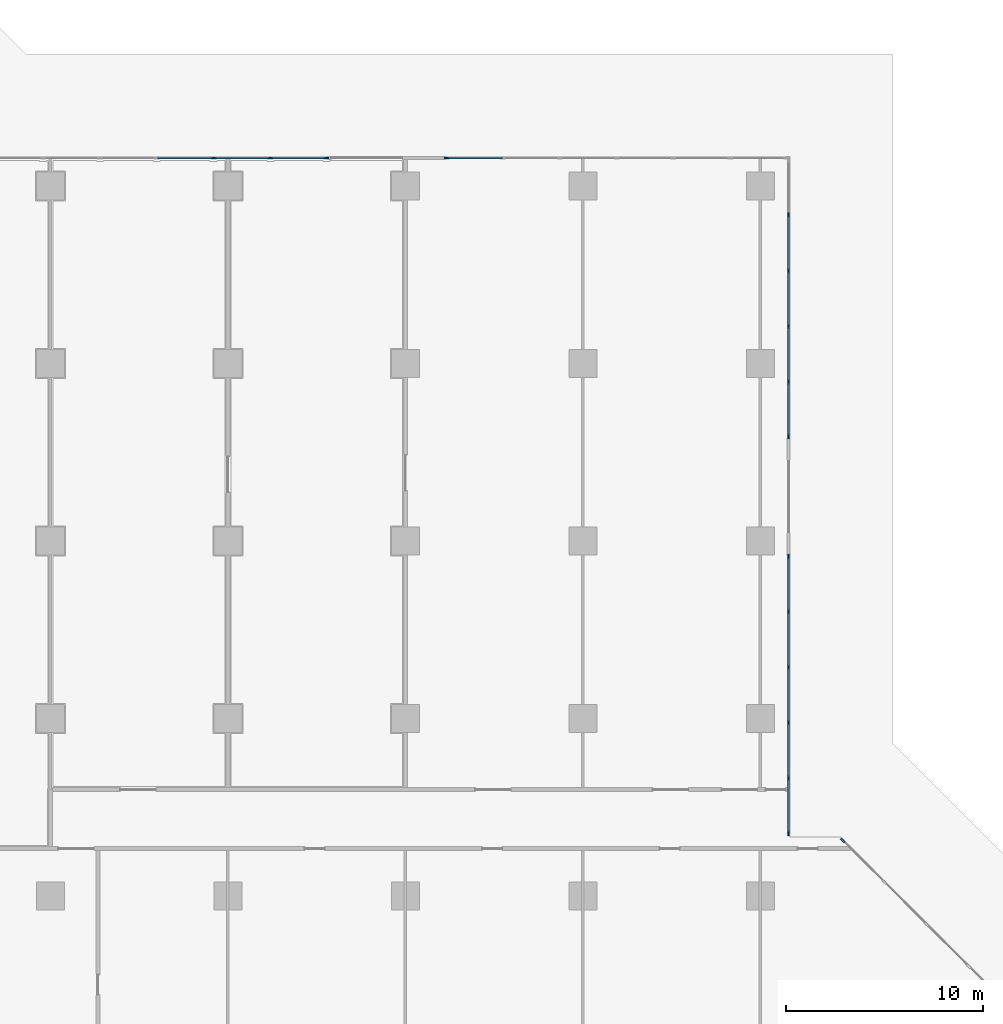
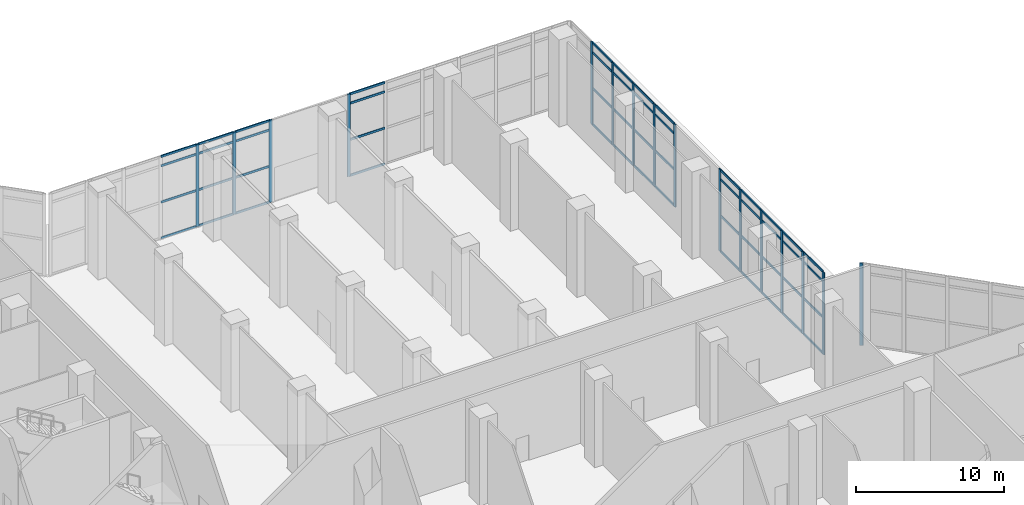
# One storey, part 10 of 34: 68 members, 5 elements without a shape of their own.
"""IFC4 building model written with IfcOpenShell, lengths in metres."""

from ifc_helpers import new_model, si_unit, direction, frame, origin, origin_2d, place, context, subcontext, project, spatial, rectangle, extrude, material, layer, layer_set, material_profile, profile_set, type_object, element, aggregate, save


model = new_model("IFC4")

# Units and contexts
model_context = context("Model", 3, precision=1e-05, world=origin(), true_north=direction((0.0, 1.0)))
body_context = subcontext(model_context, "Body", "Model", "MODEL_VIEW")
ifc_project = project(units=[si_unit("LENGTHUNIT", "METRE"), si_unit("AREAUNIT", "SQUARE_METRE"), si_unit("VOLUMEUNIT", "CUBIC_METRE"), si_unit("PLANEANGLEUNIT", "RADIAN"), si_unit("MASSUNIT", "GRAM", prefix="KILO")], contexts=[model_context])

# Site, building, storey
site_placement = place(None, origin())
site = spatial("IfcSite", under=ifc_project, at=site_placement, CompositionType="ELEMENT")
building_placement = place(site_placement, origin())
building = spatial("IfcBuilding", under=site, at=building_placement, Name="Chenar Terraces", CompositionType="ELEMENT")
storey_placement = place(building_placement, origin())
storey = spatial("IfcBuildingStorey", under=building, at=storey_placement, Name="L00", CompositionType="ELEMENT", Elevation=0.0)

# Curtain wall, member
ifc_material_1 = material(Name="Aluminium framed glazing", Category="aluminium")
ifc_layer = layer(ifc_material_1, 0.14990234375)
ifc_layer_set = layer_set([ifc_layer], Name="Aluminium framed glazing")
curtain_wall_type = type_object("IfcCurtainWallType", Name="Lobby curtain wall", PredefinedType="NOTDEFINED", material=ifc_layer_set)
placement = place(storey_placement, origin())
curtain_wall_1 = element("IfcCurtainWall", 1, at=placement, inside=storey, type_object=curtain_wall_type, Name="Lobby curtain wall", PredefinedType="NOTDEFINED")
ifc_material_2 = material(Name="Aluminium", Category="aluminium")
ifc_material_profile_1 = material_profile(ifc_material_2, rectangle(XDim=0.080078125, YDim=0.25, at=origin_2d()), Name="Lobby glazing mullion 80 x 250")
ifc_profile_set_1 = profile_set([ifc_material_profile_1], Name="Aluminium")
member_type_1 = type_object("IfcMemberType", Name="Lobby glazing mullion 80 x 250", PredefinedType="MULLION", material=ifc_profile_set_1)
member_1_placement = place(storey_placement, frame((76.173095703125, 38.8125, 0.0), z_axis=(0.0, 0.0, 1.0), x_axis=(-0.707106781187, -0.707106781187, 0.0)))
member_1 = element("IfcMember", 2, at=member_1_placement, type_object=member_type_1, Name="CW6-090 mullion 6", PredefinedType="MULLION", context=body_context, shape_type="SweptSolid", body=[
    extrude(rectangle(XDim=0.080078125, YDim=0.25, at=origin_2d()), origin(), (0.0, 0.0, 1.0), 6.800048828125),
])
aggregate(curtain_wall_1, [member_1])

# Curtain wall, members
curtain_wall_2 = element("IfcCurtainWall", 3, at=placement, inside=storey, type_object=curtain_wall_type, Name="Lobby curtain wall", PredefinedType="NOTDEFINED")
member_2_placement = place(storey_placement, frame((73.425048828125, 39.18994140625, 0.0), z_axis=(0.0, 0.0, 1.0), x_axis=(-1.0, 0.0, 0.0)))
member_2 = element("IfcMember", 4, at=member_2_placement, type_object=member_type_1, Name="CW6-10a0 mullion 1", PredefinedType="MULLION", context=body_context, shape_type="SweptSolid", body=[
    extrude(rectangle(XDim=0.080078125, YDim=0.25, at=origin_2d()), origin(), (0.0, 0.0, 1.0), 6.800048828125),
])
member_3_placement = place(storey_placement, frame((73.425048828125, 41.967529296875, 0.0), z_axis=(0.0, 0.0, 1.0), x_axis=(-1.0, 0.0, 0.0)))
member_3 = element("IfcMember", 5, at=member_3_placement, type_object=member_type_1, Name="CW6-10a0 mullion 2", PredefinedType="MULLION", context=body_context, shape_type="SweptSolid", body=[
    extrude(rectangle(XDim=0.080078125, YDim=0.25, at=origin_2d()), origin(), (0.0, 0.0, 1.0), 6.800048828125),
])
member_4_placement = place(storey_placement, frame((73.425048828125, 44.784912109375, 0.0), z_axis=(0.0, 0.0, 1.0), x_axis=(-1.0, 0.0, 0.0)))
member_4 = element("IfcMember", 6, at=member_4_placement, type_object=member_type_1, Name="CW6-10a0 mullion 3", PredefinedType="MULLION", context=body_context, shape_type="SweptSolid", body=[
    extrude(rectangle(XDim=0.080078125, YDim=0.25, at=origin_2d()), origin(), (0.0, 0.0, 1.0), 6.800048828125),
])
member_5_placement = place(storey_placement, frame((73.425048828125, 47.6025390625, 0.0), z_axis=(0.0, 0.0, 1.0), x_axis=(-1.0, 0.0, 0.0)))
member_5 = element("IfcMember", 7, at=member_5_placement, type_object=member_type_1, Name="CW6-10a0 mullion 4", PredefinedType="MULLION", context=body_context, shape_type="SweptSolid", body=[
    extrude(rectangle(XDim=0.080078125, YDim=0.25, at=origin_2d()), origin(), (0.0, 0.0, 1.0), 6.800048828125),
])
member_6_placement = place(storey_placement, frame((73.425048828125, 50.419921875, 0.0), z_axis=(0.0, 0.0, 1.0), x_axis=(-1.0, 0.0, 0.0)))
member_6 = element("IfcMember", 8, at=member_6_placement, type_object=member_type_1, Name="CW6-10a0 mullion 5", PredefinedType="MULLION", context=body_context, shape_type="SweptSolid", body=[
    extrude(rectangle(XDim=0.080078125, YDim=0.25, at=origin_2d()), origin(), (0.0, 0.0, 1.0), 6.800048828125),
])
member_7_placement = place(storey_placement, frame((73.425048828125, 53.197509765625, 0.0), z_axis=(0.0, 0.0, 1.0), x_axis=(-1.0, 0.0, 0.0)))
member_7 = element("IfcMember", 9, at=member_7_placement, type_object=member_type_1, Name="CW6-10a0 mullion 6", PredefinedType="MULLION", context=body_context, shape_type="SweptSolid", body=[
    extrude(rectangle(XDim=0.080078125, YDim=0.25, at=origin_2d()), origin(), (0.0, 0.0, 1.0), 6.800048828125),
])

curtain_wall_3 = element("IfcCurtainWall", 10, at=placement, inside=storey, type_object=curtain_wall_type, Name="Lobby curtain wall", PredefinedType="NOTDEFINED")
member_8_placement = place(storey_placement, frame((73.425048828125, 59.302490234375, 0.0), z_axis=(0.0, 0.0, 1.0), x_axis=(-1.0, 0.0, 0.0)))
member_8 = element("IfcMember", 11, at=member_8_placement, type_object=member_type_1, Name="CW6-10b0 mullion 1", PredefinedType="MULLION", context=body_context, shape_type="SweptSolid", body=[
    extrude(rectangle(XDim=0.080078125, YDim=0.25, at=origin_2d()), origin(), (0.0, 0.0, 1.0), 6.800048828125),
])
member_9_placement = place(storey_placement, frame((73.425048828125, 62.080078125, 0.0), z_axis=(0.0, 0.0, 1.0), x_axis=(-1.0, 0.0, 0.0)))
member_9 = element("IfcMember", 12, at=member_9_placement, type_object=member_type_1, Name="CW6-10b0 mullion 2", PredefinedType="MULLION", context=body_context, shape_type="SweptSolid", body=[
    extrude(rectangle(XDim=0.080078125, YDim=0.25, at=origin_2d()), origin(), (0.0, 0.0, 1.0), 6.800048828125),
])
member_10_placement = place(storey_placement, frame((73.425048828125, 64.8974609375, 0.0), z_axis=(0.0, 0.0, 1.0), x_axis=(-1.0, 0.0, 0.0)))
member_10 = element("IfcMember", 13, at=member_10_placement, type_object=member_type_1, Name="CW6-10b0 mullion 3", PredefinedType="MULLION", context=body_context, shape_type="SweptSolid", body=[
    extrude(rectangle(XDim=0.080078125, YDim=0.25, at=origin_2d()), origin(), (0.0, 0.0, 1.0), 6.800048828125),
])
member_11_placement = place(storey_placement, frame((73.425048828125, 67.715087890625, 0.0), z_axis=(0.0, 0.0, 1.0), x_axis=(-1.0, 0.0, 0.0)))
member_11 = element("IfcMember", 14, at=member_11_placement, type_object=member_type_1, Name="CW6-10b0 mullion 4", PredefinedType="MULLION", context=body_context, shape_type="SweptSolid", body=[
    extrude(rectangle(XDim=0.080078125, YDim=0.25, at=origin_2d()), origin(), (0.0, 0.0, 1.0), 6.800048828125),
])
member_12_placement = place(storey_placement, frame((73.425048828125, 70.532470703125, 0.0), z_axis=(0.0, 0.0, 1.0), x_axis=(-1.0, 0.0, 0.0)))
member_12 = element("IfcMember", 15, at=member_12_placement, type_object=member_type_1, Name="CW6-10b0 mullion 5", PredefinedType="MULLION", context=body_context, shape_type="SweptSolid", body=[
    extrude(rectangle(XDim=0.080078125, YDim=0.25, at=origin_2d()), origin(), (0.0, 0.0, 1.0), 6.800048828125),
])

# Curtain wall, member
curtain_wall_4 = element("IfcCurtainWall", 16, at=placement, inside=storey, type_object=curtain_wall_type, Name="Lobby curtain wall", PredefinedType="NOTDEFINED")
member_13_placement = place(storey_placement, frame((56.098388671875, 73.425048828125, 0.0), z_axis=(0.0, 0.0, 1.0), x_axis=(0.0, -1.0, 0.0)))
member_13 = element("IfcMember", 17, at=member_13_placement, type_object=member_type_1, Name="CW6-11a0 mullion 7", PredefinedType="MULLION", context=body_context, shape_type="SweptSolid", body=[
    extrude(rectangle(XDim=0.080078125, YDim=0.25, at=origin_2d()), origin(), (0.0, 0.0, 1.0), 6.800048828125),
])

# Curtain wall, members
curtain_wall_5 = element("IfcCurtainWall", 18, at=placement, inside=storey, type_object=curtain_wall_type, Name="Lobby curtain wall", PredefinedType="NOTDEFINED")
member_14_placement = place(storey_placement, frame((49.993408203125, 73.425048828125, 0.0), z_axis=(0.0, 0.0, 1.0), x_axis=(0.0, -1.0, 0.0)))
member_14 = element("IfcMember", 19, at=member_14_placement, type_object=member_type_1, Name="CW6-11b0 mullion 1", PredefinedType="MULLION", context=body_context, shape_type="SweptSolid", body=[
    extrude(rectangle(XDim=0.080078125, YDim=0.25, at=origin_2d()), origin(), (0.0, 0.0, 1.0), 6.800048828125),
])
member_15_placement = place(storey_placement, frame((47.151611328125, 73.425048828125, 0.0), z_axis=(0.0, 0.0, 1.0), x_axis=(0.0, -1.0, 0.0)))
member_15 = element("IfcMember", 20, at=member_15_placement, type_object=member_type_1, Name="CW6-11b0 mullion 2", PredefinedType="MULLION", context=body_context, shape_type="SweptSolid", body=[
    extrude(rectangle(XDim=0.080078125, YDim=0.25, at=origin_2d()), origin(), (0.0, 0.0, 1.0), 6.800048828125),
])
member_16_placement = place(storey_placement, frame((44.26953125, 73.425048828125, 0.0), z_axis=(0.0, 0.0, 1.0), x_axis=(0.0, -1.0, 0.0)))
member_16 = element("IfcMember", 21, at=member_16_placement, type_object=member_type_1, Name="CW6-11b0 mullion 3", PredefinedType="MULLION", context=body_context, shape_type="SweptSolid", body=[
    extrude(rectangle(XDim=0.080078125, YDim=0.25, at=origin_2d()), origin(), (0.0, 0.0, 1.0), 6.800048828125),
])

# Member
ifc_material_3 = material(Name="Aluminium", Category="aluminium")
ifc_material_profile_2 = material_profile(ifc_material_3, rectangle(XDim=0.080078125, YDim=0.179931640625, at=origin_2d()), Name="Lobby glazing transom 80 x 180")
ifc_profile_set_2 = profile_set([ifc_material_profile_2], Name="Aluminium")
member_type_2 = type_object("IfcMemberType", Name="Lobby glazing transom 80 x 180", PredefinedType="USERDEFINED", material=ifc_profile_set_2)
member_17_placement = place(storey_placement, frame((73.425048828125, 39.22998046875, 0.0400390625), z_axis=(0.0, 1.0, 0.0), x_axis=(-1.0, 0.0, 0.0)))
member_17 = element("IfcMember", 22, at=member_17_placement, type_object=member_type_2, Name="CW6-10a0 transom 1.1", ObjectType="TRANSOM", PredefinedType="USERDEFINED", context=body_context, shape_type="SweptSolid", body=[
    extrude(rectangle(XDim=0.080078125, YDim=0.179931640625, at=origin_2d()), origin(), (0.0, 0.0, 1.0), 2.697509765625),
])

member_18_placement = place(storey_placement, frame((73.425048828125, 39.22998046875, 3.0), z_axis=(0.0, 1.0, 0.0), x_axis=(-1.0, 0.0, 0.0)))
member_18 = element("IfcMember", 23, at=member_18_placement, type_object=member_type_2, Name="CW6-10a0 transom 1.2", ObjectType="TRANSOM", PredefinedType="USERDEFINED", context=body_context, shape_type="SweptSolid", body=[
    extrude(rectangle(XDim=0.080078125, YDim=0.179931640625, at=origin_2d()), origin(), (0.0, 0.0, 1.0), 2.697509765625),
])

member_19_placement = place(storey_placement, frame((73.425048828125, 39.22998046875, 6.0), z_axis=(0.0, 1.0, 0.0), x_axis=(-1.0, 0.0, 0.0)))
member_19 = element("IfcMember", 24, at=member_19_placement, type_object=member_type_2, Name="CW6-10a0 transom 1.3", ObjectType="TRANSOM", PredefinedType="USERDEFINED", context=body_context, shape_type="SweptSolid", body=[
    extrude(rectangle(XDim=0.080078125, YDim=0.179931640625, at=origin_2d()), origin(), (0.0, 0.0, 1.0), 2.697509765625),
])

member_20_placement = place(storey_placement, frame((73.425048828125, 39.22998046875, 6.760009765625), z_axis=(0.0, 1.0, 0.0), x_axis=(-1.0, 0.0, 0.0)))
member_20 = element("IfcMember", 25, at=member_20_placement, type_object=member_type_2, Name="CW6-10a0 transom 1.4", ObjectType="TRANSOM", PredefinedType="USERDEFINED", context=body_context, shape_type="SweptSolid", body=[
    extrude(rectangle(XDim=0.080078125, YDim=0.179931640625, at=origin_2d()), origin(), (0.0, 0.0, 1.0), 2.697509765625),
])

member_21_placement = place(storey_placement, frame((73.425048828125, 42.007568359375, 0.0400390625), z_axis=(0.0, 1.0, 0.0), x_axis=(-1.0, 0.0, 0.0)))
member_21 = element("IfcMember", 26, at=member_21_placement, type_object=member_type_2, Name="CW6-10a0 transom 2.1", ObjectType="TRANSOM", PredefinedType="USERDEFINED", context=body_context, shape_type="SweptSolid", body=[
    extrude(rectangle(XDim=0.080078125, YDim=0.179931640625, at=origin_2d()), origin(), (0.0, 0.0, 1.0), 2.737548828125),
])

member_22_placement = place(storey_placement, frame((73.425048828125, 42.007568359375, 3.0), z_axis=(0.0, 1.0, 0.0), x_axis=(-1.0, 0.0, 0.0)))
member_22 = element("IfcMember", 27, at=member_22_placement, type_object=member_type_2, Name="CW6-10a0 transom 2.2", ObjectType="TRANSOM", PredefinedType="USERDEFINED", context=body_context, shape_type="SweptSolid", body=[
    extrude(rectangle(XDim=0.080078125, YDim=0.179931640625, at=origin_2d()), origin(), (0.0, 0.0, 1.0), 2.737548828125),
])

member_23_placement = place(storey_placement, frame((73.425048828125, 42.007568359375, 6.0), z_axis=(0.0, 1.0, 0.0), x_axis=(-1.0, 0.0, 0.0)))
member_23 = element("IfcMember", 28, at=member_23_placement, type_object=member_type_2, Name="CW6-10a0 transom 2.3", ObjectType="TRANSOM", PredefinedType="USERDEFINED", context=body_context, shape_type="SweptSolid", body=[
    extrude(rectangle(XDim=0.080078125, YDim=0.179931640625, at=origin_2d()), origin(), (0.0, 0.0, 1.0), 2.737548828125),
])

member_24_placement = place(storey_placement, frame((73.425048828125, 42.007568359375, 6.760009765625), z_axis=(0.0, 1.0, 0.0), x_axis=(-1.0, 0.0, 0.0)))
member_24 = element("IfcMember", 29, at=member_24_placement, type_object=member_type_2, Name="CW6-10a0 transom 2.4", ObjectType="TRANSOM", PredefinedType="USERDEFINED", context=body_context, shape_type="SweptSolid", body=[
    extrude(rectangle(XDim=0.080078125, YDim=0.179931640625, at=origin_2d()), origin(), (0.0, 0.0, 1.0), 2.737548828125),
])

member_25_placement = place(storey_placement, frame((73.425048828125, 44.824951171875, 0.0400390625), z_axis=(0.0, 1.0, 0.0), x_axis=(-1.0, 0.0, 0.0)))
member_25 = element("IfcMember", 30, at=member_25_placement, type_object=member_type_2, Name="CW6-10a0 transom 3.1", ObjectType="TRANSOM", PredefinedType="USERDEFINED", context=body_context, shape_type="SweptSolid", body=[
    extrude(rectangle(XDim=0.080078125, YDim=0.179931640625, at=origin_2d()), origin(), (0.0, 0.0, 1.0), 2.737548828125),
])

member_26_placement = place(storey_placement, frame((73.425048828125, 44.824951171875, 3.0), z_axis=(0.0, 1.0, 0.0), x_axis=(-1.0, 0.0, 0.0)))
member_26 = element("IfcMember", 31, at=member_26_placement, type_object=member_type_2, Name="CW6-10a0 transom 3.2", ObjectType="TRANSOM", PredefinedType="USERDEFINED", context=body_context, shape_type="SweptSolid", body=[
    extrude(rectangle(XDim=0.080078125, YDim=0.179931640625, at=origin_2d()), origin(), (0.0, 0.0, 1.0), 2.737548828125),
])

member_27_placement = place(storey_placement, frame((73.425048828125, 44.824951171875, 6.0), z_axis=(0.0, 1.0, 0.0), x_axis=(-1.0, 0.0, 0.0)))
member_27 = element("IfcMember", 32, at=member_27_placement, type_object=member_type_2, Name="CW6-10a0 transom 3.3", ObjectType="TRANSOM", PredefinedType="USERDEFINED", context=body_context, shape_type="SweptSolid", body=[
    extrude(rectangle(XDim=0.080078125, YDim=0.179931640625, at=origin_2d()), origin(), (0.0, 0.0, 1.0), 2.737548828125),
])

member_28_placement = place(storey_placement, frame((73.425048828125, 44.824951171875, 6.760009765625), z_axis=(0.0, 1.0, 0.0), x_axis=(-1.0, 0.0, 0.0)))
member_28 = element("IfcMember", 33, at=member_28_placement, type_object=member_type_2, Name="CW6-10a0 transom 3.4", ObjectType="TRANSOM", PredefinedType="USERDEFINED", context=body_context, shape_type="SweptSolid", body=[
    extrude(rectangle(XDim=0.080078125, YDim=0.179931640625, at=origin_2d()), origin(), (0.0, 0.0, 1.0), 2.737548828125),
])

member_29_placement = place(storey_placement, frame((73.425048828125, 47.642578125, 0.0400390625), z_axis=(0.0, 1.0, 0.0), x_axis=(-1.0, 0.0, 0.0)))
member_29 = element("IfcMember", 34, at=member_29_placement, type_object=member_type_2, Name="CW6-10a0 transom 4.1", ObjectType="TRANSOM", PredefinedType="USERDEFINED", context=body_context, shape_type="SweptSolid", body=[
    extrude(rectangle(XDim=0.080078125, YDim=0.179931640625, at=origin_2d()), origin(), (0.0, 0.0, 1.0), 2.7373046875),
])

member_30_placement = place(storey_placement, frame((73.425048828125, 47.642578125, 3.0), z_axis=(0.0, 1.0, 0.0), x_axis=(-1.0, 0.0, 0.0)))
member_30 = element("IfcMember", 35, at=member_30_placement, type_object=member_type_2, Name="CW6-10a0 transom 4.2", ObjectType="TRANSOM", PredefinedType="USERDEFINED", context=body_context, shape_type="SweptSolid", body=[
    extrude(rectangle(XDim=0.080078125, YDim=0.179931640625, at=origin_2d()), origin(), (0.0, 0.0, 1.0), 2.7373046875),
])

member_31_placement = place(storey_placement, frame((73.425048828125, 47.642578125, 6.0), z_axis=(0.0, 1.0, 0.0), x_axis=(-1.0, 0.0, 0.0)))
member_31 = element("IfcMember", 36, at=member_31_placement, type_object=member_type_2, Name="CW6-10a0 transom 4.3", ObjectType="TRANSOM", PredefinedType="USERDEFINED", context=body_context, shape_type="SweptSolid", body=[
    extrude(rectangle(XDim=0.080078125, YDim=0.179931640625, at=origin_2d()), origin(), (0.0, 0.0, 1.0), 2.7373046875),
])

member_32_placement = place(storey_placement, frame((73.425048828125, 47.642578125, 6.760009765625), z_axis=(0.0, 1.0, 0.0), x_axis=(-1.0, 0.0, 0.0)))
member_32 = element("IfcMember", 37, at=member_32_placement, type_object=member_type_2, Name="CW6-10a0 transom 4.4", ObjectType="TRANSOM", PredefinedType="USERDEFINED", context=body_context, shape_type="SweptSolid", body=[
    extrude(rectangle(XDim=0.080078125, YDim=0.179931640625, at=origin_2d()), origin(), (0.0, 0.0, 1.0), 2.7373046875),
])

member_33_placement = place(storey_placement, frame((73.425048828125, 50.4599609375, 0.0400390625), z_axis=(0.0, 1.0, 0.0), x_axis=(-1.0, 0.0, 0.0)))
member_33 = element("IfcMember", 38, at=member_33_placement, type_object=member_type_2, Name="CW6-10a0 transom 5.1", ObjectType="TRANSOM", PredefinedType="USERDEFINED", context=body_context, shape_type="SweptSolid", body=[
    extrude(rectangle(XDim=0.080078125, YDim=0.179931640625, at=origin_2d()), origin(), (0.0, 0.0, 1.0), 2.697509765625),
])

member_34_placement = place(storey_placement, frame((73.425048828125, 50.4599609375, 3.0), z_axis=(0.0, 1.0, 0.0), x_axis=(-1.0, 0.0, 0.0)))
member_34 = element("IfcMember", 39, at=member_34_placement, type_object=member_type_2, Name="CW6-10a0 transom 5.2", ObjectType="TRANSOM", PredefinedType="USERDEFINED", context=body_context, shape_type="SweptSolid", body=[
    extrude(rectangle(XDim=0.080078125, YDim=0.179931640625, at=origin_2d()), origin(), (0.0, 0.0, 1.0), 2.697509765625),
])

member_35_placement = place(storey_placement, frame((73.425048828125, 50.4599609375, 6.0), z_axis=(0.0, 1.0, 0.0), x_axis=(-1.0, 0.0, 0.0)))
member_35 = element("IfcMember", 40, at=member_35_placement, type_object=member_type_2, Name="CW6-10a0 transom 5.3", ObjectType="TRANSOM", PredefinedType="USERDEFINED", context=body_context, shape_type="SweptSolid", body=[
    extrude(rectangle(XDim=0.080078125, YDim=0.179931640625, at=origin_2d()), origin(), (0.0, 0.0, 1.0), 2.697509765625),
])

member_36_placement = place(storey_placement, frame((73.425048828125, 50.4599609375, 6.760009765625), z_axis=(0.0, 1.0, 0.0), x_axis=(-1.0, 0.0, 0.0)))
member_36 = element("IfcMember", 41, at=member_36_placement, type_object=member_type_2, Name="CW6-10a0 transom 5.4", ObjectType="TRANSOM", PredefinedType="USERDEFINED", context=body_context, shape_type="SweptSolid", body=[
    extrude(rectangle(XDim=0.080078125, YDim=0.179931640625, at=origin_2d()), origin(), (0.0, 0.0, 1.0), 2.697509765625),
])

aggregate(curtain_wall_2, [member_2, member_3, member_4, member_5, member_6, member_7, member_17, member_18, member_19, member_20, member_21, member_22, member_23, member_24, member_25, member_26, member_27, member_28, member_29, member_30, member_31, member_32, member_33, member_34, member_35, member_36])

member_37_placement = place(storey_placement, frame((73.425048828125, 59.342529296875, 0.0400390625), z_axis=(0.0, 1.0, 0.0), x_axis=(-1.0, 0.0, 0.0)))
member_37 = element("IfcMember", 42, at=member_37_placement, type_object=member_type_2, Name="CW6-10b0 transom 1.1", ObjectType="TRANSOM", PredefinedType="USERDEFINED", context=body_context, shape_type="SweptSolid", body=[
    extrude(rectangle(XDim=0.080078125, YDim=0.179931640625, at=origin_2d()), origin(), (0.0, 0.0, 1.0), 2.697509765625),
])

member_38_placement = place(storey_placement, frame((73.425048828125, 59.342529296875, 3.0), z_axis=(0.0, 1.0, 0.0), x_axis=(-1.0, 0.0, 0.0)))
member_38 = element("IfcMember", 43, at=member_38_placement, type_object=member_type_2, Name="CW6-10b0 transom 1.2", ObjectType="TRANSOM", PredefinedType="USERDEFINED", context=body_context, shape_type="SweptSolid", body=[
    extrude(rectangle(XDim=0.080078125, YDim=0.179931640625, at=origin_2d()), origin(), (0.0, 0.0, 1.0), 2.697509765625),
])

member_39_placement = place(storey_placement, frame((73.425048828125, 59.342529296875, 6.0), z_axis=(0.0, 1.0, 0.0), x_axis=(-1.0, 0.0, 0.0)))
member_39 = element("IfcMember", 44, at=member_39_placement, type_object=member_type_2, Name="CW6-10b0 transom 1.3", ObjectType="TRANSOM", PredefinedType="USERDEFINED", context=body_context, shape_type="SweptSolid", body=[
    extrude(rectangle(XDim=0.080078125, YDim=0.179931640625, at=origin_2d()), origin(), (0.0, 0.0, 1.0), 2.697509765625),
])

member_40_placement = place(storey_placement, frame((73.425048828125, 59.342529296875, 6.760009765625), z_axis=(0.0, 1.0, 0.0), x_axis=(-1.0, 0.0, 0.0)))
member_40 = element("IfcMember", 45, at=member_40_placement, type_object=member_type_2, Name="CW6-10b0 transom 1.4", ObjectType="TRANSOM", PredefinedType="USERDEFINED", context=body_context, shape_type="SweptSolid", body=[
    extrude(rectangle(XDim=0.080078125, YDim=0.179931640625, at=origin_2d()), origin(), (0.0, 0.0, 1.0), 2.697509765625),
])

member_41_placement = place(storey_placement, frame((73.425048828125, 62.1201171875, 0.0400390625), z_axis=(0.0, 1.0, 0.0), x_axis=(-1.0, 0.0, 0.0)))
member_41 = element("IfcMember", 46, at=member_41_placement, type_object=member_type_2, Name="CW6-10b0 transom 2.1", ObjectType="TRANSOM", PredefinedType="USERDEFINED", context=body_context, shape_type="SweptSolid", body=[
    extrude(rectangle(XDim=0.080078125, YDim=0.179931640625, at=origin_2d()), origin(), (0.0, 0.0, 1.0), 2.7373046875),
])

member_42_placement = place(storey_placement, frame((73.425048828125, 62.1201171875, 3.0), z_axis=(0.0, 1.0, 0.0), x_axis=(-1.0, 0.0, 0.0)))
member_42 = element("IfcMember", 47, at=member_42_placement, type_object=member_type_2, Name="CW6-10b0 transom 2.2", ObjectType="TRANSOM", PredefinedType="USERDEFINED", context=body_context, shape_type="SweptSolid", body=[
    extrude(rectangle(XDim=0.080078125, YDim=0.179931640625, at=origin_2d()), origin(), (0.0, 0.0, 1.0), 2.7373046875),
])

member_43_placement = place(storey_placement, frame((73.425048828125, 62.1201171875, 6.0), z_axis=(0.0, 1.0, 0.0), x_axis=(-1.0, 0.0, 0.0)))
member_43 = element("IfcMember", 48, at=member_43_placement, type_object=member_type_2, Name="CW6-10b0 transom 2.3", ObjectType="TRANSOM", PredefinedType="USERDEFINED", context=body_context, shape_type="SweptSolid", body=[
    extrude(rectangle(XDim=0.080078125, YDim=0.179931640625, at=origin_2d()), origin(), (0.0, 0.0, 1.0), 2.7373046875),
])

member_44_placement = place(storey_placement, frame((73.425048828125, 62.1201171875, 6.760009765625), z_axis=(0.0, 1.0, 0.0), x_axis=(-1.0, 0.0, 0.0)))
member_44 = element("IfcMember", 49, at=member_44_placement, type_object=member_type_2, Name="CW6-10b0 transom 2.4", ObjectType="TRANSOM", PredefinedType="USERDEFINED", context=body_context, shape_type="SweptSolid", body=[
    extrude(rectangle(XDim=0.080078125, YDim=0.179931640625, at=origin_2d()), origin(), (0.0, 0.0, 1.0), 2.7373046875),
])

member_45_placement = place(storey_placement, frame((73.425048828125, 64.9375, 0.0400390625), z_axis=(0.0, 1.0, 0.0), x_axis=(-1.0, 0.0, 0.0)))
member_45 = element("IfcMember", 50, at=member_45_placement, type_object=member_type_2, Name="CW6-10b0 transom 3.1", ObjectType="TRANSOM", PredefinedType="USERDEFINED", context=body_context, shape_type="SweptSolid", body=[
    extrude(rectangle(XDim=0.080078125, YDim=0.179931640625, at=origin_2d()), origin(), (0.0, 0.0, 1.0), 2.737548828125),
])

member_46_placement = place(storey_placement, frame((73.425048828125, 64.9375, 3.0), z_axis=(0.0, 1.0, 0.0), x_axis=(-1.0, 0.0, 0.0)))
member_46 = element("IfcMember", 51, at=member_46_placement, type_object=member_type_2, Name="CW6-10b0 transom 3.2", ObjectType="TRANSOM", PredefinedType="USERDEFINED", context=body_context, shape_type="SweptSolid", body=[
    extrude(rectangle(XDim=0.080078125, YDim=0.179931640625, at=origin_2d()), origin(), (0.0, 0.0, 1.0), 2.737548828125),
])

member_47_placement = place(storey_placement, frame((73.425048828125, 64.9375, 6.0), z_axis=(0.0, 1.0, 0.0), x_axis=(-1.0, 0.0, 0.0)))
member_47 = element("IfcMember", 52, at=member_47_placement, type_object=member_type_2, Name="CW6-10b0 transom 3.3", ObjectType="TRANSOM", PredefinedType="USERDEFINED", context=body_context, shape_type="SweptSolid", body=[
    extrude(rectangle(XDim=0.080078125, YDim=0.179931640625, at=origin_2d()), origin(), (0.0, 0.0, 1.0), 2.737548828125),
])

member_48_placement = place(storey_placement, frame((73.425048828125, 64.9375, 6.760009765625), z_axis=(0.0, 1.0, 0.0), x_axis=(-1.0, 0.0, 0.0)))
member_48 = element("IfcMember", 53, at=member_48_placement, type_object=member_type_2, Name="CW6-10b0 transom 3.4", ObjectType="TRANSOM", PredefinedType="USERDEFINED", context=body_context, shape_type="SweptSolid", body=[
    extrude(rectangle(XDim=0.080078125, YDim=0.179931640625, at=origin_2d()), origin(), (0.0, 0.0, 1.0), 2.737548828125),
])

member_49_placement = place(storey_placement, frame((73.425048828125, 67.7548828125, 0.0400390625), z_axis=(0.0, 1.0, 0.0), x_axis=(-1.0, 0.0, 0.0)))
member_49 = element("IfcMember", 54, at=member_49_placement, type_object=member_type_2, Name="CW6-10b0 transom 4.1", ObjectType="TRANSOM", PredefinedType="USERDEFINED", context=body_context, shape_type="SweptSolid", body=[
    extrude(rectangle(XDim=0.080078125, YDim=0.179931640625, at=origin_2d()), origin(), (0.0, 0.0, 1.0), 2.737548828125),
])

member_50_placement = place(storey_placement, frame((73.425048828125, 67.7548828125, 3.0), z_axis=(0.0, 1.0, 0.0), x_axis=(-1.0, 0.0, 0.0)))
member_50 = element("IfcMember", 55, at=member_50_placement, type_object=member_type_2, Name="CW6-10b0 transom 4.2", ObjectType="TRANSOM", PredefinedType="USERDEFINED", context=body_context, shape_type="SweptSolid", body=[
    extrude(rectangle(XDim=0.080078125, YDim=0.179931640625, at=origin_2d()), origin(), (0.0, 0.0, 1.0), 2.737548828125),
])

member_51_placement = place(storey_placement, frame((73.425048828125, 67.7548828125, 6.0), z_axis=(0.0, 1.0, 0.0), x_axis=(-1.0, 0.0, 0.0)))
member_51 = element("IfcMember", 56, at=member_51_placement, type_object=member_type_2, Name="CW6-10b0 transom 4.3", ObjectType="TRANSOM", PredefinedType="USERDEFINED", context=body_context, shape_type="SweptSolid", body=[
    extrude(rectangle(XDim=0.080078125, YDim=0.179931640625, at=origin_2d()), origin(), (0.0, 0.0, 1.0), 2.737548828125),
])

member_52_placement = place(storey_placement, frame((73.425048828125, 67.7548828125, 6.760009765625), z_axis=(0.0, 1.0, 0.0), x_axis=(-1.0, 0.0, 0.0)))
member_52 = element("IfcMember", 57, at=member_52_placement, type_object=member_type_2, Name="CW6-10b0 transom 4.4", ObjectType="TRANSOM", PredefinedType="USERDEFINED", context=body_context, shape_type="SweptSolid", body=[
    extrude(rectangle(XDim=0.080078125, YDim=0.179931640625, at=origin_2d()), origin(), (0.0, 0.0, 1.0), 2.737548828125),
])

aggregate(curtain_wall_3, [member_8, member_9, member_10, member_11, member_12, member_37, member_38, member_39, member_40, member_41, member_42, member_43, member_44, member_45, member_46, member_47, member_48, member_49, member_50, member_51, member_52])

member_53_placement = place(storey_placement, frame((58.900390625, 73.425048828125, 0.0400390625), z_axis=(-1.0, 0.0, 0.0), x_axis=(0.0, -1.0, 0.0)))
member_53 = element("IfcMember", 58, at=member_53_placement, type_object=member_type_2, Name="CW6-11a0 transom 6.1", ObjectType="TRANSOM", PredefinedType="USERDEFINED", context=body_context, shape_type="SweptSolid", body=[
    extrude(rectangle(XDim=0.080078125, YDim=0.179931640625, at=origin_2d()), origin(), (0.0, 0.0, 1.0), 2.761962890625),
])

member_54_placement = place(storey_placement, frame((58.900390625, 73.425048828125, 3.0), z_axis=(-1.0, 0.0, 0.0), x_axis=(0.0, -1.0, 0.0)))
member_54 = element("IfcMember", 59, at=member_54_placement, type_object=member_type_2, Name="CW6-11a0 transom 6.2", ObjectType="TRANSOM", PredefinedType="USERDEFINED", context=body_context, shape_type="SweptSolid", body=[
    extrude(rectangle(XDim=0.080078125, YDim=0.179931640625, at=origin_2d()), origin(), (0.0, 0.0, 1.0), 2.761962890625),
])

member_55_placement = place(storey_placement, frame((58.900390625, 73.425048828125, 6.0), z_axis=(-1.0, 0.0, 0.0), x_axis=(0.0, -1.0, 0.0)))
member_55 = element("IfcMember", 60, at=member_55_placement, type_object=member_type_2, Name="CW6-11a0 transom 6.3", ObjectType="TRANSOM", PredefinedType="USERDEFINED", context=body_context, shape_type="SweptSolid", body=[
    extrude(rectangle(XDim=0.080078125, YDim=0.179931640625, at=origin_2d()), origin(), (0.0, 0.0, 1.0), 2.761962890625),
])

member_56_placement = place(storey_placement, frame((58.900390625, 73.425048828125, 6.760009765625), z_axis=(-1.0, 0.0, 0.0), x_axis=(0.0, -1.0, 0.0)))
member_56 = element("IfcMember", 61, at=member_56_placement, type_object=member_type_2, Name="CW6-11a0 transom 6.4", ObjectType="TRANSOM", PredefinedType="USERDEFINED", context=body_context, shape_type="SweptSolid", body=[
    extrude(rectangle(XDim=0.080078125, YDim=0.179931640625, at=origin_2d()), origin(), (0.0, 0.0, 1.0), 2.761962890625),
])

aggregate(curtain_wall_4, [member_13, member_53, member_54, member_55, member_56])

member_57_placement = place(storey_placement, frame((49.953369140625, 73.425048828125, 0.0400390625), z_axis=(-1.0, 0.0, 0.0), x_axis=(0.0, -1.0, 0.0)))
member_57 = element("IfcMember", 62, at=member_57_placement, type_object=member_type_2, Name="CW6-11b0 transom 1.1", ObjectType="TRANSOM", PredefinedType="USERDEFINED", context=body_context, shape_type="SweptSolid", body=[
    extrude(rectangle(XDim=0.080078125, YDim=0.179931640625, at=origin_2d()), origin(), (0.0, 0.0, 1.0), 2.761962890625),
])

member_58_placement = place(storey_placement, frame((49.953369140625, 73.425048828125, 3.0), z_axis=(-1.0, 0.0, 0.0), x_axis=(0.0, -1.0, 0.0)))
member_58 = element("IfcMember", 63, at=member_58_placement, type_object=member_type_2, Name="CW6-11b0 transom 1.2", ObjectType="TRANSOM", PredefinedType="USERDEFINED", context=body_context, shape_type="SweptSolid", body=[
    extrude(rectangle(XDim=0.080078125, YDim=0.179931640625, at=origin_2d()), origin(), (0.0, 0.0, 1.0), 2.761962890625),
])

member_59_placement = place(storey_placement, frame((49.953369140625, 73.425048828125, 6.0), z_axis=(-1.0, 0.0, 0.0), x_axis=(0.0, -1.0, 0.0)))
member_59 = element("IfcMember", 64, at=member_59_placement, type_object=member_type_2, Name="CW6-11b0 transom 1.3", ObjectType="TRANSOM", PredefinedType="USERDEFINED", context=body_context, shape_type="SweptSolid", body=[
    extrude(rectangle(XDim=0.080078125, YDim=0.179931640625, at=origin_2d()), origin(), (0.0, 0.0, 1.0), 2.761962890625),
])

member_60_placement = place(storey_placement, frame((49.953369140625, 73.425048828125, 6.760009765625), z_axis=(-1.0, 0.0, 0.0), x_axis=(0.0, -1.0, 0.0)))
member_60 = element("IfcMember", 65, at=member_60_placement, type_object=member_type_2, Name="CW6-11b0 transom 1.4", ObjectType="TRANSOM", PredefinedType="USERDEFINED", context=body_context, shape_type="SweptSolid", body=[
    extrude(rectangle(XDim=0.080078125, YDim=0.179931640625, at=origin_2d()), origin(), (0.0, 0.0, 1.0), 2.761962890625),
])

member_61_placement = place(storey_placement, frame((47.111572265625, 73.425048828125, 0.0400390625), z_axis=(-1.0, 0.0, 0.0), x_axis=(0.0, -1.0, 0.0)))
member_61 = element("IfcMember", 66, at=member_61_placement, type_object=member_type_2, Name="CW6-11b0 transom 2.1", ObjectType="TRANSOM", PredefinedType="USERDEFINED", context=body_context, shape_type="SweptSolid", body=[
    extrude(rectangle(XDim=0.080078125, YDim=0.179931640625, at=origin_2d()), origin(), (0.0, 0.0, 1.0), 2.802001953125),
])

member_62_placement = place(storey_placement, frame((47.111572265625, 73.425048828125, 3.0), z_axis=(-1.0, 0.0, 0.0), x_axis=(0.0, -1.0, 0.0)))
member_62 = element("IfcMember", 67, at=member_62_placement, type_object=member_type_2, Name="CW6-11b0 transom 2.2", ObjectType="TRANSOM", PredefinedType="USERDEFINED", context=body_context, shape_type="SweptSolid", body=[
    extrude(rectangle(XDim=0.080078125, YDim=0.179931640625, at=origin_2d()), origin(), (0.0, 0.0, 1.0), 2.802001953125),
])

member_63_placement = place(storey_placement, frame((47.111572265625, 73.425048828125, 6.0), z_axis=(-1.0, 0.0, 0.0), x_axis=(0.0, -1.0, 0.0)))
member_63 = element("IfcMember", 68, at=member_63_placement, type_object=member_type_2, Name="CW6-11b0 transom 2.3", ObjectType="TRANSOM", PredefinedType="USERDEFINED", context=body_context, shape_type="SweptSolid", body=[
    extrude(rectangle(XDim=0.080078125, YDim=0.179931640625, at=origin_2d()), origin(), (0.0, 0.0, 1.0), 2.802001953125),
])

member_64_placement = place(storey_placement, frame((47.111572265625, 73.425048828125, 6.760009765625), z_axis=(-1.0, 0.0, 0.0), x_axis=(0.0, -1.0, 0.0)))
member_64 = element("IfcMember", 69, at=member_64_placement, type_object=member_type_2, Name="CW6-11b0 transom 2.4", ObjectType="TRANSOM", PredefinedType="USERDEFINED", context=body_context, shape_type="SweptSolid", body=[
    extrude(rectangle(XDim=0.080078125, YDim=0.179931640625, at=origin_2d()), origin(), (0.0, 0.0, 1.0), 2.802001953125),
])

member_65_placement = place(storey_placement, frame((44.2294921875, 73.425048828125, 0.0400390625), z_axis=(-1.0, 0.0, 0.0), x_axis=(0.0, -1.0, 0.0)))
member_65 = element("IfcMember", 70, at=member_65_placement, type_object=member_type_2, Name="CW6-11b0 transom 3.1", ObjectType="TRANSOM", PredefinedType="USERDEFINED", context=body_context, shape_type="SweptSolid", body=[
    extrude(rectangle(XDim=0.080078125, YDim=0.179931640625, at=origin_2d()), origin(), (0.0, 0.0, 1.0), 2.8017578125),
])

member_66_placement = place(storey_placement, frame((44.2294921875, 73.425048828125, 3.0), z_axis=(-1.0, 0.0, 0.0), x_axis=(0.0, -1.0, 0.0)))
member_66 = element("IfcMember", 71, at=member_66_placement, type_object=member_type_2, Name="CW6-11b0 transom 3.2", ObjectType="TRANSOM", PredefinedType="USERDEFINED", context=body_context, shape_type="SweptSolid", body=[
    extrude(rectangle(XDim=0.080078125, YDim=0.179931640625, at=origin_2d()), origin(), (0.0, 0.0, 1.0), 2.8017578125),
])

member_67_placement = place(storey_placement, frame((44.2294921875, 73.425048828125, 6.0), z_axis=(-1.0, 0.0, 0.0), x_axis=(0.0, -1.0, 0.0)))
member_67 = element("IfcMember", 72, at=member_67_placement, type_object=member_type_2, Name="CW6-11b0 transom 3.3", ObjectType="TRANSOM", PredefinedType="USERDEFINED", context=body_context, shape_type="SweptSolid", body=[
    extrude(rectangle(XDim=0.080078125, YDim=0.179931640625, at=origin_2d()), origin(), (0.0, 0.0, 1.0), 2.8017578125),
])

member_68_placement = place(storey_placement, frame((44.2294921875, 73.425048828125, 6.760009765625), z_axis=(-1.0, 0.0, 0.0), x_axis=(0.0, -1.0, 0.0)))
member_68 = element("IfcMember", 73, at=member_68_placement, type_object=member_type_2, Name="CW6-11b0 transom 3.4", ObjectType="TRANSOM", PredefinedType="USERDEFINED", context=body_context, shape_type="SweptSolid", body=[
    extrude(rectangle(XDim=0.080078125, YDim=0.179931640625, at=origin_2d()), origin(), (0.0, 0.0, 1.0), 2.8017578125),
])

aggregate(curtain_wall_5, [member_14, member_15, member_16, member_57, member_58, member_59, member_60, member_61, member_62, member_63, member_64, member_65, member_66, member_67, member_68])

save(model, "model.ifc")
